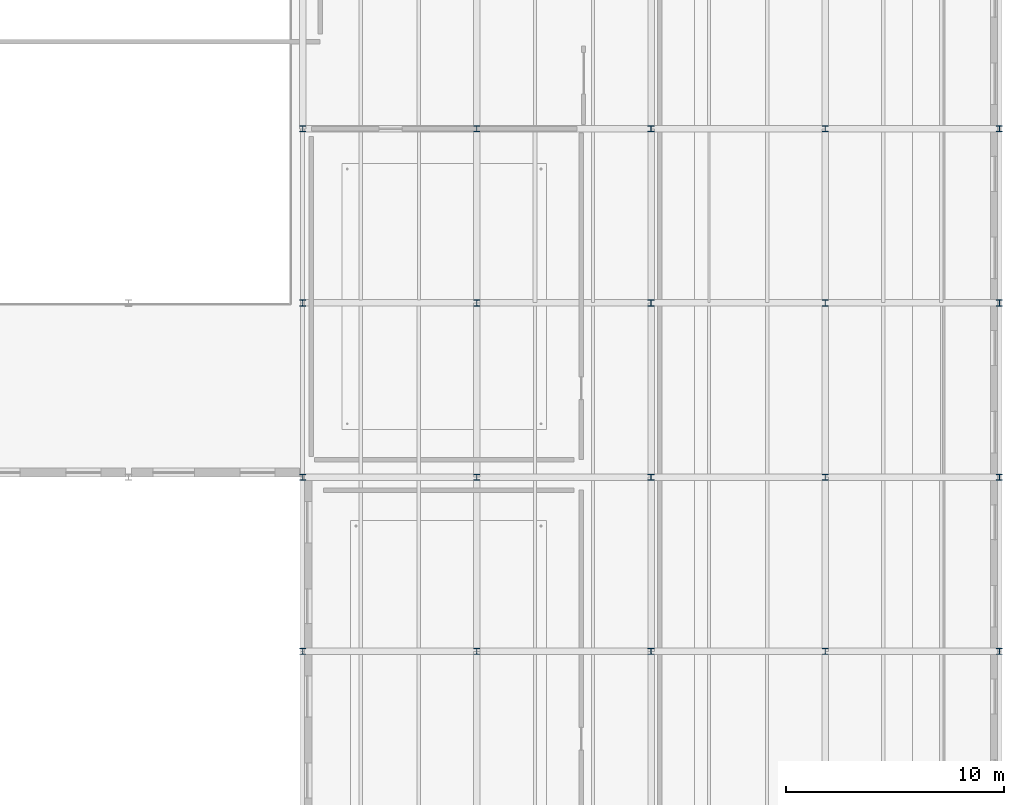
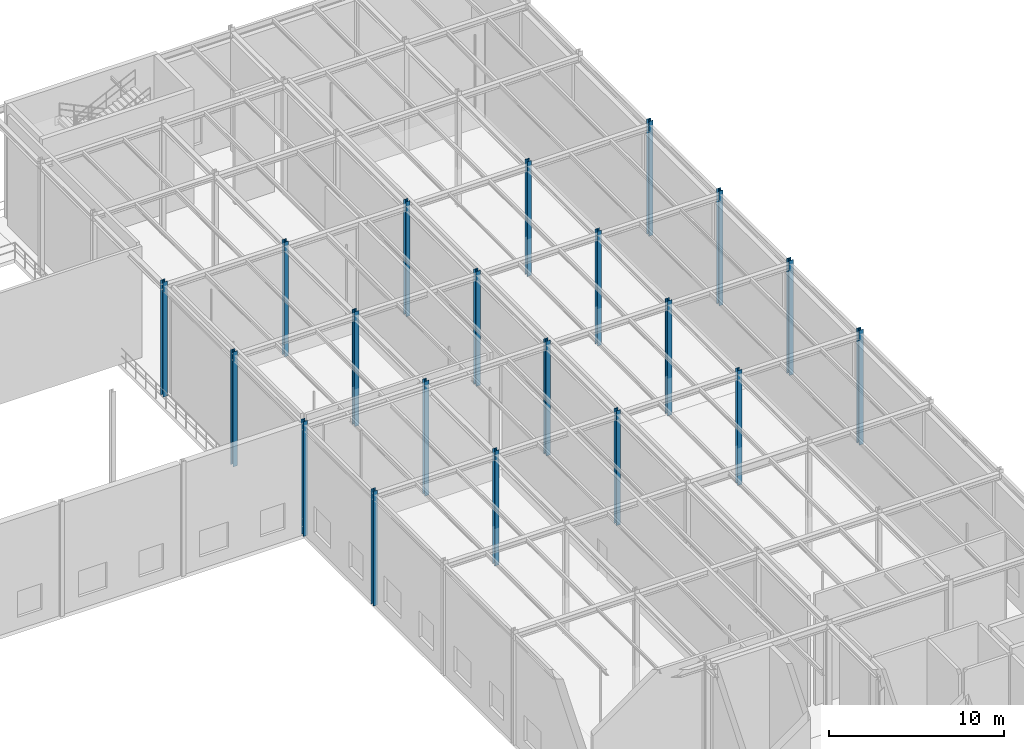
# One storey, part 18 of 138: 20 columns.
"""IFC4 building model written with IfcOpenShell, lengths in metres."""

import ifcopenshell
import ifcopenshell.guid

model = None  # the IFC model being written
_history = None  # IfcOwnerHistory: only IFC2X3 demands one
_inside = {}  # id of a spatial element -> (the spatial element, [elements in it])
_under = {}  # id of a project, library or spatial element -> (it, [spatial elements below it])
_declared = {}  # id of a project -> (the project, [libraries it declares])
_typed = {}  # id of a type object -> (the type object, [elements of that type])
_made_of = {}  # id of a material, layer set ... -> (it, [elements and type objects made of it])


def new_model(schema):
    """Start an empty IFC model of exactly this schema.

    Asked for "IFC4X3", IfcOpenShell would pick the latest addendum, in which some entities
    have other attributes; the version numbers below select the first issue.
    IFC2X3 requires an IfcOwnerHistory on every rooted entity: one is made here for all.
    """
    global model, _history
    if schema == "IFC4X3":
        model = ifcopenshell.file(schema_version=(4, 3, 0, 0))
    else:
        model = ifcopenshell.file(schema=schema)
    _inside.clear()
    _under.clear()
    _declared.clear()
    _typed.clear()
    _made_of.clear()
    _history = None
    if model.schema == "IFC2X3":
        org = make("IfcOrganization", Name="unknown")
        user = make(
            "IfcPersonAndOrganization",
            ThePerson=make("IfcPerson", FamilyName="unknown"),
            TheOrganization=org,
        )
        app = make(
            "IfcApplication",
            ApplicationDeveloper=org,
            Version="unknown",
            ApplicationFullName="unknown",
            ApplicationIdentifier="unknown",
        )
        _history = make(
            "IfcOwnerHistory",
            OwningUser=user,
            OwningApplication=app,
            ChangeAction="ADDED",
            CreationDate=0,
        )
    return model


def make(cls, **values):
    """One entity of the class cls with the attributes given. An attribute that is None is left unset."""
    return model.create_entity(
        cls, **{name: value for name, value in values.items() if value is not None}
    )


def rooted(cls, **values):
    """An entity with a GlobalId (a new one), such as an element, a storey or a relation."""
    return make(cls, GlobalId=ifcopenshell.guid.new(), OwnerHistory=_history, **values)


def si_unit(unit_type, name, prefix=None):
    """IfcSIUnit, for example si_unit("LENGTHUNIT", "METRE", prefix="MILLI")."""
    return make("IfcSIUnit", UnitType=unit_type, Prefix=prefix, Name=name)


def assignment(units):
    """IfcUnitAssignment: the units of a project."""
    return None if units is None else make("IfcUnitAssignment", Units=units)


def point(xyz):
    """IfcCartesianPoint."""
    return None if xyz is None else make("IfcCartesianPoint", Coordinates=xyz)


def direction(xyz):
    """IfcDirection."""
    return None if xyz is None else make("IfcDirection", DirectionRatios=xyz)


def frame(location, z_axis=None, x_axis=None):
    """IfcAxis2Placement3D, a coordinate frame: its origin and axes. An axis left out is left unset."""
    return make(
        "IfcAxis2Placement3D",
        Location=point(location),
        Axis=direction(z_axis),
        RefDirection=direction(x_axis),
    )


def frame_2d(location, x_axis=None):
    """IfcAxis2Placement2D, a coordinate frame in the plane: its origin and x axis."""
    return make(
        "IfcAxis2Placement2D", Location=point(location), RefDirection=direction(x_axis)
    )


def origin():
    """The frame at (0, 0, 0) with its axes left unset."""
    return frame((0.0, 0.0, 0.0))


def origin_2d():
    """The frame at (0, 0) in the plane with its x axis left unset."""
    return frame_2d((0.0, 0.0))


def place(relative_to, where):
    """IfcLocalPlacement: puts the frame where relative to a parent placement (None: the world)."""
    return make(
        "IfcLocalPlacement", PlacementRelTo=relative_to, RelativePlacement=where
    )


def context(
    kind, dimensions, precision=None, world=None, true_north=None, identifier=None
):
    """IfcGeometricRepresentationContext, for example the 3D "Model" context."""
    return make(
        "IfcGeometricRepresentationContext",
        ContextIdentifier=identifier,
        ContextType=kind,
        CoordinateSpaceDimension=dimensions,
        Precision=precision,
        WorldCoordinateSystem=world,
        TrueNorth=true_north,
    )


def subcontext(parent, identifier, kind, view, scale=None):
    """IfcGeometricRepresentationSubContext, for example "Body" below "Model"."""
    return make(
        "IfcGeometricRepresentationSubContext",
        ContextIdentifier=identifier,
        ContextType=kind,
        ParentContext=parent,
        TargetScale=scale,
        TargetView=view,
    )


def project(units=None, contexts=None):
    """IfcProject with its units and contexts."""
    return rooted(
        "IfcProject",
        Name="project",
        RepresentationContexts=contexts,
        UnitsInContext=assignment(units),
    )


def spatial(cls, under=None, at=None, **own):
    """A site, building, storey or space (cls), placed at a placement, below another one or the project."""
    s = rooted(cls, ObjectPlacement=at, **own)
    if under is not None:
        _under.setdefault(under.id(), (under, []))[1].append(s)
    return s


def profile(cls, at=None, kind="AREA", **sizes):
    """A parametric profile (cls). Its sizes go by their IFC names, for example OverallWidth=200.0."""
    return make(cls, ProfileType=kind, Position=at, **sizes)


def i_section(**sizes):
    """IfcIShapeProfileDef."""
    return profile("IfcIShapeProfileDef", **sizes)


def extrude(swept, where, along, depth):
    """IfcExtrudedAreaSolid: the profile swept, set in the frame where, extruded along a direction by depth."""
    return make(
        "IfcExtrudedAreaSolid",
        SweptArea=swept,
        Position=where,
        ExtrudedDirection=direction(along),
        Depth=depth,
    )


def shape(context_of_items, identifier, shape_type, items):
    """IfcShapeRepresentation: the items that make up one representation, for example the "Body"."""
    return make(
        "IfcShapeRepresentation",
        ContextOfItems=context_of_items,
        RepresentationIdentifier=identifier,
        RepresentationType=shape_type,
        Items=items,
    )


def material(Name=None, Category=None):
    """IfcMaterial."""
    return make("IfcMaterial", Name=Name, Category=Category)


def material_profile(
    of_material, cross_section, Name=None, Category=None, Priority=None
):
    """IfcMaterialProfile: a cross section and its material."""
    return make(
        "IfcMaterialProfile",
        Name=Name,
        Material=of_material,
        Profile=cross_section,
        Priority=Priority,
        Category=Category,
    )


def profile_set(profiles, Name=None, composite=None):
    """IfcMaterialProfileSet."""
    return make(
        "IfcMaterialProfileSet",
        Name=Name,
        MaterialProfiles=profiles,
        CompositeProfile=composite,
    )


def made_of(thing, what):
    """Note that an element or type object is made of a material, layer set ...; save() writes the relation."""
    if what is not None:
        _made_of.setdefault(what.id(), (what, []))[1].append(thing)
    return thing


def type_object(cls, material=None, **own):
    """A type object (cls), such as IfcWallType, which elements share."""
    return made_of(rooted(cls, **own), material)


def element(
    cls,
    number,
    at=None,
    inside=None,
    cuts=None,
    type_object=None,
    material=None,
    context=None,
    identifier="Body",
    shape_type=None,
    held_by="IfcProductDefinitionShape",
    body=None,
    shapes=None,
    **own,
):
    """One element of the class cls, such as IfcWall. Its Tag is "e" and its number.

    at: its placement. inside: the storey or other place that contains it. cuts: it is an
    opening in that element (IfcRelVoidsElement). A single representation is given by context,
    identifier, shape_type and body (its items); several are given by shapes. held_by: the class
    of the entity that holds the representations. save() writes the other relations.
    """
    e = rooted(cls, Tag="e%d" % number, ObjectPlacement=at, **own)
    if body is not None:
        shapes = [shape(context, identifier, shape_type, body)]
    if shapes is not None:
        e.Representation = make(held_by, Representations=shapes)
    if inside is not None:
        _inside.setdefault(inside.id(), (inside, []))[1].append(e)
    if cuts is not None:
        rooted(
            "IfcRelVoidsElement", RelatingBuildingElement=cuts, RelatedOpeningElement=e
        )
    if type_object is not None:
        _typed.setdefault(type_object.id(), (type_object, []))[1].append(e)
    return made_of(e, material)


def aggregate(whole, parts):
    """IfcRelAggregates: a whole, such as a stair, and the parts it consists of."""
    return rooted("IfcRelAggregates", RelatingObject=whole, RelatedObjects=parts)


def save(model, path):
    """Write the relations noted so far, then the file.

    IfcRelAggregates (storeys below a building ...), IfcRelContainedInSpatialStructure (elements
    in a storey), IfcRelDefinesByType, IfcRelAssociatesMaterial and IfcRelDeclares: one each for
    every whole, place, type object, material and project.
    """
    for whole, parts in _under.values():
        aggregate(whole, parts)
    for where, things in _inside.values():
        rooted(
            "IfcRelContainedInSpatialStructure",
            RelatedElements=things,
            RelatingStructure=where,
        )
    for kind, things in _typed.values():
        rooted("IfcRelDefinesByType", RelatedObjects=things, RelatingType=kind)
    for what, things in _made_of.values():
        rooted("IfcRelAssociatesMaterial", RelatedObjects=things, RelatingMaterial=what)
    for by, libraries in _declared.values():
        rooted("IfcRelDeclares", RelatingContext=by, RelatedDefinitions=libraries)
    model.write(path)


model = new_model("IFC4")

# Units and contexts
model_context = context("Model", 3, precision=1e-05, world=origin(), true_north=direction((0.0, 1.0)))
body_context = subcontext(model_context, "Body", "Model", "MODEL_VIEW")
ifc_project = project(units=[si_unit("LENGTHUNIT", "METRE"), si_unit("AREAUNIT", "SQUARE_METRE"), si_unit("VOLUMEUNIT", "CUBIC_METRE"), si_unit("PLANEANGLEUNIT", "RADIAN"), si_unit("MASSUNIT", "GRAM", prefix="KILO")], contexts=[model_context])

# Site, building, storey
site_placement = place(None, origin())
site = spatial("IfcSite", under=ifc_project, at=site_placement, CompositionType="ELEMENT")
building_placement = place(site_placement, origin())
building = spatial("IfcBuilding", under=site, at=building_placement, Name="Sundkrona Museum", CompositionType="ELEMENT")
storey_placement = place(building_placement, frame((0.0, 0.0, 9.60009765625)))
storey = spatial("IfcBuildingStorey", under=building, at=storey_placement, Name="L02", CompositionType="ELEMENT", Elevation=9.60009765625)

# Columns
ifc_material = material(Name="Steel S355J2", Category="steel")
ifc_material_profile = material_profile(ifc_material, i_section(OverallWidth=0.280029296875, OverallDepth=0.280029296875, WebThickness=0.010498046875, FlangeThickness=0.01806640625, FilletRadius=0.02392578125, at=origin_2d()), Name="HEB 280")
ifc_profile_set = profile_set([ifc_material_profile], Name="Steel S355J2")
column_type = type_object("IfcColumnType", Name="C-HEB280", PredefinedType="COLUMN", material=ifc_profile_set)
for number, where, z_axis, x_axis, name in (
    (1, (136.0, 70.0, 0.0), (0.0, 0.0, 1.0), (1.0, 0.0, 0.0), "L02 Column K/18"),
    (2, (136.0, 78.0, 0.0), (0.0, 0.0, 1.0), (1.0, 0.0, 0.0), "L02 Column L/18"),
    (3, (136.0, 86.0, 0.0), (0.0, 0.0, 1.0), (1.0, 0.0, 0.0), "L02 Column M/18"),
    (4, (136.0, 94.0, 0.0), (0.0, 0.0, 1.0), (1.0, 0.0, 0.0), "L02 Column N/18"),
    (5, (144.0, 70.0, 0.0), (0.0, 0.0, 1.0), (1.0, 0.0, 0.0), "L02 Column K/19"),
    (6, (144.0, 78.0, 0.0), (0.0, 0.0, 1.0), (1.0, 0.0, 0.0), "L02 Column L/19"),
    (7, (144.0, 86.0, 0.0), (0.0, 0.0, 1.0), (1.0, 0.0, 0.0), "L02 Column M/19"),
    (8, (144.0, 94.0, 0.0), (0.0, 0.0, 1.0), (1.0, 0.0, 0.0), "L02 Column N/19"),
    (9, (152.0, 70.0, 0.0), (0.0, 0.0, 1.0), (1.0, 0.0, 0.0), "L02 Column K/20"),
    (10, (152.0, 78.0, 0.0), (0.0, 0.0, 1.0), (1.0, 0.0, 0.0), "L02 Column L/20"),
    (11, (152.0, 86.0, 0.0), (0.0, 0.0, 1.0), (1.0, 0.0, 0.0), "L02 Column M/20"),
    (12, (152.0, 94.0, 0.0), (0.0, 0.0, 1.0), (1.0, 0.0, 0.0), "L02 Column N/20"),
    (13, (160.0, 70.0, 0.0), (0.0, 0.0, 1.0), (1.0, 0.0, 0.0), "L02 Column K/21"),
    (14, (160.0, 78.0, 0.0), (0.0, 0.0, 1.0), (1.0, 0.0, 0.0), "L02 Column L/21"),
    (15, (160.0, 86.0, 0.0), (0.0, 0.0, 1.0), (1.0, 0.0, 0.0), "L02 Column M/21"),
    (16, (160.0, 94.0, 0.0), (0.0, 0.0, 1.0), (1.0, 0.0, 0.0), "L02 Column N/21"),
    (17, (168.0, 70.0, 0.0), (0.0, 0.0, 1.0), (1.0, 0.0, 0.0), "L02 Column K/22"),
    (18, (168.0, 78.0, 0.0), (0.0, 0.0, 1.0), (1.0, 0.0, 0.0), "L02 Column L/22"),
    (19, (168.0, 86.0, 0.0), (0.0, 0.0, 1.0), (1.0, 0.0, 0.0), "L02 Column M/22"),
    (20, (168.0, 94.0, 0.0), (0.0, 0.0, 1.0), (1.0, 0.0, 0.0), "L02 Column N/22"),
):
    element("IfcColumn", number, at=place(storey_placement, frame(where, z_axis=z_axis, x_axis=x_axis)), inside=storey, type_object=column_type, Name=name, PredefinedType="COLUMN", context=body_context, shape_type="SweptSolid", body=[
        extrude(i_section(OverallWidth=0.280029296875, OverallDepth=0.280029296875, WebThickness=0.010498046875, FlangeThickness=0.01806640625, FilletRadius=0.02392578125, at=origin_2d()), origin(), (0.0, 0.0, 1.0), 8.0),
    ])

save(model, "model.ifc")
